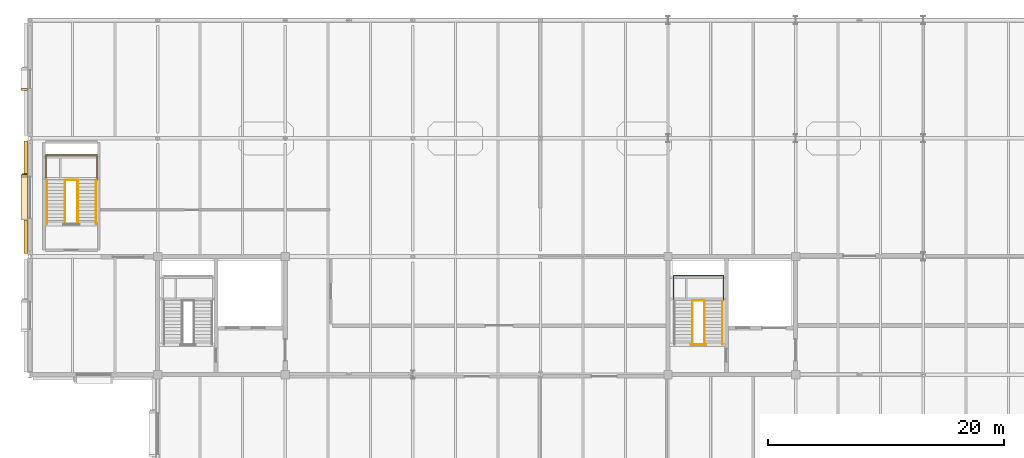
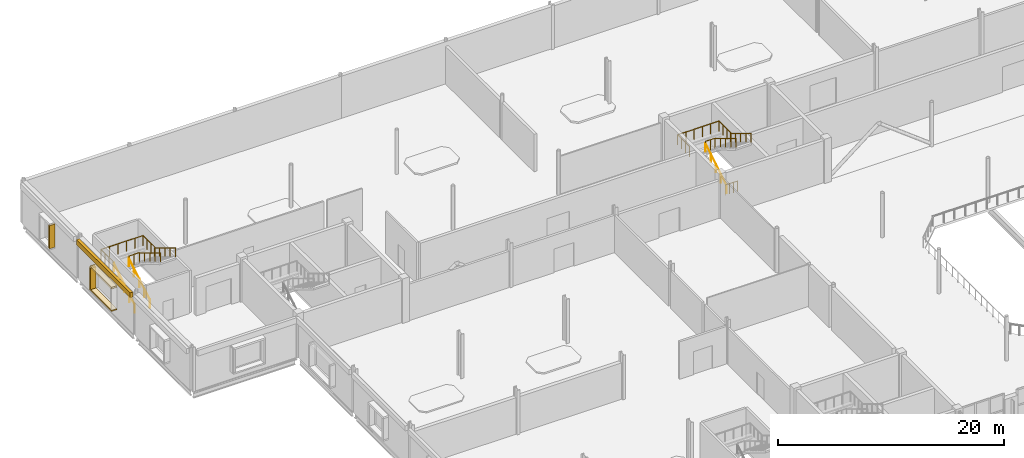
# One storey, part 89 of 92: 12 railings, 5 coverings, 1 shading device.
"""IFC4 building model written with IfcOpenShell, lengths in metres."""

from ifc_helpers import new_model, si_unit, direction, frame, origin, origin_2d, place, context, subcontext, project, spatial, rectangle, circle, extrude, material, layer, layer_set, type_object, element, save


model = new_model("IFC4")

# Units and contexts
model_context = context("Model", 3, precision=1e-05, world=origin(), true_north=direction((0.0, 1.0)))
body_context = subcontext(model_context, "Body", "Model", "MODEL_VIEW")
ifc_project = project(units=[si_unit("LENGTHUNIT", "METRE"), si_unit("AREAUNIT", "SQUARE_METRE"), si_unit("VOLUMEUNIT", "CUBIC_METRE"), si_unit("PLANEANGLEUNIT", "RADIAN"), si_unit("MASSUNIT", "GRAM", prefix="KILO")], contexts=[model_context])

# Site, building, storey
site_placement = place(None, origin())
site = spatial("IfcSite", under=ifc_project, at=site_placement, CompositionType="ELEMENT")
building_placement = place(site_placement, origin())
building = spatial("IfcBuilding", under=site, at=building_placement, Name="Tasgan Crest Museum", CompositionType="ELEMENT")
storey_placement = place(building_placement, frame((0.0, 0.0, 4.800048828125)))
storey = spatial("IfcBuildingStorey", under=building, at=storey_placement, Name="L01", CompositionType="ELEMENT", Elevation=4.800048828125)

# Coverings
ifc_material_1 = material(Name="Honed Rose-Red Mongolian Granite", Category="masonry")
ifc_layer_1 = layer(ifc_material_1, 0.0400390625, Name="COV-GRANITE-ROSE")
ifc_layer_set_1 = layer_set([ifc_layer_1], Name="Honed Rose-Red Mongolian Granite")
covering_type_1 = type_object("IfcCoveringType", Name="COV-GRANITE-ROSE", PredefinedType="CLADDING", material=ifc_layer_set_1)
covering_1_placement = place(storey_placement, frame((-0.5, 106.135009765625, 1.0), z_axis=(0.0, 0.0, 1.0), x_axis=(0.0, -1.0, 0.0)))
element("IfcCovering", 1, at=covering_1_placement, inside=storey, type_object=covering_type_1, Name="Deep window reveal jamb L01-028", PredefinedType="CLADDING", context=body_context, shape_type="SweptSolid", body=[
    extrude(rectangle(XDim=0.179931640625, YDim=0.550048828125, at=origin_2d()), origin(), (0.0, 0.0, 1.0), 2.5),
])
covering_2_placement = place(storey_placement, frame((-0.5, 98.840087890625, 1.0), z_axis=(0.0, 0.0, 1.0), x_axis=(0.0, -1.0, 0.0)))
element("IfcCovering", 2, at=covering_2_placement, inside=storey, type_object=covering_type_1, Name="Deep window reveal jamb L01-029", PredefinedType="CLADDING", context=body_context, shape_type="SweptSolid", body=[
    extrude(rectangle(XDim=0.179931640625, YDim=0.550048828125, at=origin_2d()), origin(), (0.0, 0.0, 1.0), 2.300048828125),
])
ifc_material_2 = material(Name="Honed Buff Limestone", Category="masonry")
ifc_layer_2 = layer(ifc_material_2, 0.044921875, Name="COV-LIMESTONE-BUFF")
ifc_layer_set_2 = layer_set([ifc_layer_2], Name="Honed Buff Limestone")
covering_type_2 = type_object("IfcCoveringType", Name="COV-LIMESTONE-BUFF", PredefinedType="CLADDING", material=ifc_layer_set_2)
covering_3_placement = place(storey_placement, frame((-0.364990234375, 97.0, 3.9599609375), z_axis=(0.0, 0.0, 1.0), x_axis=(0.0, -1.0, 0.0)))
element("IfcCovering", 3, at=covering_3_placement, inside=storey, type_object=covering_type_2, Name="Stone frieze cladding L01", PredefinedType="CLADDING", context=body_context, shape_type="SweptSolid", body=[
    extrude(rectangle(XDim=9.510009765625, YDim=0.280029296875, at=origin_2d()), origin(), (0.0, 0.0, 1.0), 0.550048828125),
])
covering_4_placement = place(storey_placement, frame((-0.5, 97.0, 3.2998046875), z_axis=(0.0, 0.0, 1.0), x_axis=(0.0, -1.0, 0.0)))
element("IfcCovering", 4, at=covering_4_placement, inside=storey, type_object=covering_type_2, Name="Deep window hood L01-029", PredefinedType="CLADDING", context=body_context, shape_type="SweptSolid", body=[
    extrude(rectangle(XDim=3.860107421875, YDim=0.550048828125, at=origin_2d()), origin(), (0.0, 0.0, 1.0), 0.179931640625),
])
covering_5_placement = place(storey_placement, frame((-0.5, 97.0, 0.85986328125), z_axis=(0.0, 0.0, 1.0), x_axis=(0.0, -1.0, 0.0)))
element("IfcCovering", 5, at=covering_5_placement, inside=storey, type_object=covering_type_2, Name="Deep window sill L01-029", PredefinedType="CLADDING", context=body_context, shape_type="SweptSolid", body=[
    extrude(rectangle(XDim=3.860107421875, YDim=0.550048828125, at=origin_2d()), origin(), (0.0, 0.0, 1.0), 0.139892578125),
])

# Railings
ifc_material_3 = material(Name="Brushed Bronze and Toughened Glass", Category="glass")
railing_type_1 = type_object("IfcRailingType", Name="RL-INT-GUARD-1120", PredefinedType="GUARDRAIL", material=ifc_material_3)
railing_1_placement = place(storey_placement, frame((55.93994140625, 84.52001953125, 0.0)))
element("IfcRailing", 6, at=railing_1_placement, inside=storey, type_object=railing_type_1, Name="North-Central Sawtooth Core floor slot guard L01", PredefinedType="GUARDRAIL", context=body_context, shape_type="SweptSolid", body=[
    extrude(circle(Radius=0.02392578125, at=origin_2d()), frame((0.0, 0.0, 1.09619140625), z_axis=(1.0, 0.0, 0.0), x_axis=(0.0, 1.0, 0.0)), (0.0, 0.0, 1.0), 1.27001953125),
    extrude(circle(Radius=0.02099609375, at=origin_2d()), origin(), (0.0, 0.0, 1.0), 1.072021484375),
    extrude(circle(Radius=0.02099609375, at=origin_2d()), frame((0.42333984375, 0.0, 0.0)), (0.0, 0.0, 1.0), 1.072021484375),
    extrude(circle(Radius=0.02099609375, at=origin_2d()), frame((0.8466796875, 0.0, 0.0)), (0.0, 0.0, 1.0), 1.072021484375),
    extrude(circle(Radius=0.02099609375, at=origin_2d()), frame((1.27001953125, 0.0, 0.0)), (0.0, 0.0, 1.0), 1.072021484375),
])
railing_2_placement = place(storey_placement, frame((56.080078125, 88.27490234375, 2.39990234375)))
element("IfcRailing", 7, at=railing_2_placement, inside=storey, type_object=railing_type_1, Name="Stair half-landing well guard ST-NC-L01 T1", PredefinedType="GUARDRAIL", context=body_context, shape_type="SweptSolid", body=[
    extrude(circle(Radius=0.02392578125, at=origin_2d()), frame((0.0, 0.0, 1.09619140625), z_axis=(1.0, 0.0, 0.0), x_axis=(0.0, 1.0, 0.0)), (0.0, 0.0, 1.0), 0.989990234375),
    extrude(circle(Radius=0.02099609375, at=origin_2d()), origin(), (0.0, 0.0, 1.0), 1.072021484375),
    extrude(circle(Radius=0.02099609375, at=origin_2d()), frame((0.4951171875, 0.0, 0.0)), (0.0, 0.0, 1.0), 1.072021484375),
    extrude(circle(Radius=0.02099609375, at=origin_2d()), frame((0.989990234375, 0.0, 0.0)), (0.0, 0.0, 1.0), 1.072021484375),
])
railing_3_placement = place(storey_placement, frame((54.4599609375, 88.294921875, 2.39990234375)))
element("IfcRailing", 8, at=railing_3_placement, inside=storey, type_object=railing_type_1, Name="Stair half-landing perimeter guard ST-NC-L01 T1", PredefinedType="GUARDRAIL", context=body_context, shape_type="SweptSolid", body=[
    extrude(circle(Radius=0.02392578125, at=origin_2d()), frame((0.0, 0.0, 1.09619140625), z_axis=(0.0, 1.0, 0.0), x_axis=(-1.0, 0.0, 0.0)), (0.0, 0.0, 1.0), 2.10009765625),
    extrude(circle(Radius=0.02392578125, at=origin_2d()), frame((0.0, 2.10009765625, 1.09619140625), z_axis=(1.0, 0.0, 0.0), x_axis=(0.0, 1.0, 0.0)), (0.0, 0.0, 1.0), 4.22998046875),
    extrude(circle(Radius=0.02392578125, at=origin_2d()), frame((4.22998046875, 2.10009765625, 1.09619140625), z_axis=(0.0, -1.0, 0.0), x_axis=(1.0, 0.0, 0.0)), (0.0, 0.0, 1.0), 2.10009765625),
    extrude(circle(Radius=0.02099609375, at=origin_2d()), origin(), (0.0, 0.0, 1.0), 1.072021484375),
    extrude(circle(Radius=0.02099609375, at=origin_2d()), frame((0.0, 0.699951171875, 0.0)), (0.0, 0.0, 1.0), 1.072021484375),
    extrude(circle(Radius=0.02099609375, at=origin_2d()), frame((0.0, 1.400146484375, 0.0)), (0.0, 0.0, 1.0), 1.072021484375),
    extrude(circle(Radius=0.02099609375, at=origin_2d()), frame((0.0, 2.10009765625, 0.0)), (0.0, 0.0, 1.0), 1.072021484375),
    extrude(circle(Radius=0.02099609375, at=origin_2d()), frame((0.845947265625, 2.10009765625, 0.0)), (0.0, 0.0, 1.0), 1.072021484375),
    extrude(circle(Radius=0.02099609375, at=origin_2d()), frame((1.69189453125, 2.10009765625, 0.0)), (0.0, 0.0, 1.0), 1.072021484375),
    extrude(circle(Radius=0.02099609375, at=origin_2d()), frame((2.5380859375, 2.10009765625, 0.0)), (0.0, 0.0, 1.0), 1.072021484375),
    extrude(circle(Radius=0.02099609375, at=origin_2d()), frame((3.384033203125, 2.10009765625, 0.0)), (0.0, 0.0, 1.0), 1.072021484375),
    extrude(circle(Radius=0.02099609375, at=origin_2d()), frame((4.22998046875, 2.10009765625, 0.0)), (0.0, 0.0, 1.0), 1.072021484375),
    extrude(circle(Radius=0.02099609375, at=origin_2d()), frame((4.22998046875, 1.400146484375, 0.0)), (0.0, 0.0, 1.0), 1.072021484375),
    extrude(circle(Radius=0.02099609375, at=origin_2d()), frame((4.22998046875, 0.699951171875, 0.0)), (0.0, 0.0, 1.0), 1.072021484375),
    extrude(circle(Radius=0.02099609375, at=origin_2d()), frame((4.22998046875, 0.0, 0.0)), (0.0, 0.0, 1.0), 1.072021484375),
])
railing_4_placement = place(storey_placement, frame((2.9599609375, 98.47509765625, 2.39990234375)))
element("IfcRailing", 9, at=railing_4_placement, inside=storey, type_object=railing_type_1, Name="Stair half-landing well guard ST-GW-L01 T1", PredefinedType="GUARDRAIL", context=body_context, shape_type="SweptSolid", body=[
    extrude(circle(Radius=0.02392578125, at=origin_2d()), frame((0.0, 0.0, 1.09619140625), z_axis=(1.0, 0.0, 0.0), x_axis=(0.0, 1.0, 0.0)), (0.0, 0.0, 1.0), 1.080078125),
    extrude(circle(Radius=0.02099609375, at=origin_2d()), origin(), (0.0, 0.0, 1.0), 1.072021484375),
    extrude(circle(Radius=0.02099609375, at=origin_2d()), frame((0.5400390625, 0.0, 0.0)), (0.0, 0.0, 1.0), 1.072021484375),
    extrude(circle(Radius=0.02099609375, at=origin_2d()), frame((1.080078125, 0.0, 0.0)), (0.0, 0.0, 1.0), 1.072021484375),
])
railing_5_placement = place(storey_placement, frame((1.340087890625, 98.4951171875, 2.39990234375)))
element("IfcRailing", 10, at=railing_5_placement, inside=storey, type_object=railing_type_1, Name="Stair half-landing perimeter guard ST-GW-L01 T1", PredefinedType="GUARDRAIL", context=body_context, shape_type="SweptSolid", body=[
    extrude(circle(Radius=0.02392578125, at=origin_2d()), frame((0.0, 0.0, 1.09619140625), z_axis=(0.0, 1.0, 0.0), x_axis=(-1.0, 0.0, 0.0)), (0.0, 0.0, 1.0), 2.099853515625),
    extrude(circle(Radius=0.02392578125, at=origin_2d()), frame((0.0, 2.099853515625, 1.09619140625), z_axis=(1.0, 0.0, 0.0), x_axis=(0.0, 1.0, 0.0)), (0.0, 0.0, 1.0), 4.31982421875),
    extrude(circle(Radius=0.02392578125, at=origin_2d()), frame((4.31982421875, 2.099853515625, 1.09619140625), z_axis=(0.0, -1.0, 0.0), x_axis=(1.0, 0.0, 0.0)), (0.0, 0.0, 1.0), 2.099853515625),
    extrude(circle(Radius=0.02099609375, at=origin_2d()), origin(), (0.0, 0.0, 1.0), 1.072021484375),
    extrude(circle(Radius=0.02099609375, at=origin_2d()), frame((0.0, 0.699951171875, 0.0)), (0.0, 0.0, 1.0), 1.072021484375),
    extrude(circle(Radius=0.02099609375, at=origin_2d()), frame((0.0, 1.39990234375, 0.0)), (0.0, 0.0, 1.0), 1.072021484375),
    extrude(circle(Radius=0.02099609375, at=origin_2d()), frame((0.0, 2.099853515625, 0.0)), (0.0, 0.0, 1.0), 1.072021484375),
    extrude(circle(Radius=0.02099609375, at=origin_2d()), frame((0.864013671875, 2.099853515625, 0.0)), (0.0, 0.0, 1.0), 1.072021484375),
    extrude(circle(Radius=0.02099609375, at=origin_2d()), frame((1.72802734375, 2.099853515625, 0.0)), (0.0, 0.0, 1.0), 1.072021484375),
    extrude(circle(Radius=0.02099609375, at=origin_2d()), frame((2.591796875, 2.099853515625, 0.0)), (0.0, 0.0, 1.0), 1.072021484375),
    extrude(circle(Radius=0.02099609375, at=origin_2d()), frame((3.455810546875, 2.099853515625, 0.0)), (0.0, 0.0, 1.0), 1.072021484375),
    extrude(circle(Radius=0.02099609375, at=origin_2d()), frame((4.31982421875, 2.099853515625, 0.0)), (0.0, 0.0, 1.0), 1.072021484375),
    extrude(circle(Radius=0.02099609375, at=origin_2d()), frame((4.31982421875, 1.39990234375, 0.0)), (0.0, 0.0, 1.0), 1.072021484375),
    extrude(circle(Radius=0.02099609375, at=origin_2d()), frame((4.31982421875, 0.699951171875, 0.0)), (0.0, 0.0, 1.0), 1.072021484375),
    extrude(circle(Radius=0.02099609375, at=origin_2d()), frame((4.31982421875, 0.0, 0.0)), (0.0, 0.0, 1.0), 1.072021484375),
])
ifc_material_4 = material(Name="Brushed Stainless Steel", Category="steel")
railing_type_2 = type_object("IfcRailingType", Name="RL-STAIR-HAND-920", PredefinedType="HANDRAIL", material=ifc_material_4)
railing_6_placement = place(storey_placement, frame((56.080078125, 84.550048828125, 0.17138671875)))
element("IfcRailing", 11, at=railing_6_placement, inside=storey, type_object=railing_type_2, Name="Stair handrail STAIR-CORE-NC-L01-F1 R", PredefinedType="HANDRAIL", context=body_context, shape_type="SweptSolid", body=[
    extrude(circle(Radius=0.02392578125, at=origin_2d()), frame((0.0, 0.0, 0.89599609375), z_axis=(0.0, 0.856919398105, 0.515450429384), x_axis=(-1.0, 0.0, 0.0)), (0.0, 0.0, 1.0), 4.323486328125),
    extrude(circle(Radius=0.02099609375, at=origin_2d()), origin(), (0.0, 0.0, 1.0), 0.871826171875),
    extrude(circle(Radius=0.02099609375, at=origin_2d()), frame((0.0, 0.92626953125, 0.55712890625)), (0.0, 0.0, 1.0), 0.871826171875),
    extrude(circle(Radius=0.02099609375, at=origin_2d()), frame((0.0, 1.8525390625, 1.1142578125)), (0.0, 0.0, 1.0), 0.871826171875),
    extrude(circle(Radius=0.02099609375, at=origin_2d()), frame((0.0, 2.778564453125, 1.67138671875)), (0.0, 0.0, 1.0), 0.871826171875),
    extrude(circle(Radius=0.02099609375, at=origin_2d()), frame((0.0, 3.704833984375, 2.228515625)), (0.0, 0.0, 1.0), 0.871826171875),
])
for number, where, name in (
    (12, (58.610107421875, 88.2548828125, 2.5712890625), "Stair handrail STAIR-CORE-NC-L01-F2 L"),
    (13, (57.070068359375, 88.2548828125, 2.5712890625), "Stair handrail STAIR-CORE-NC-L01-F2 R"),
):
    element("IfcRailing", number, at=place(storey_placement, frame(where)), inside=storey, type_object=railing_type_2, Name=name, PredefinedType="HANDRAIL", context=body_context, shape_type="SweptSolid", body=[
        extrude(circle(Radius=0.02392578125, at=origin_2d()), frame((0.0, 0.0, 0.89599609375), z_axis=(0.0, -0.856894455432, 0.515491893485), x_axis=(1.0, 0.0, 0.0)), (0.0, 0.0, 1.0), 4.323486328125),
        extrude(circle(Radius=0.02099609375, at=origin_2d()), origin(), (0.0, 0.0, 1.0), 0.871826171875),
        extrude(circle(Radius=0.02099609375, at=origin_2d()), frame((0.0, -0.92626953125, 0.55712890625)), (0.0, 0.0, 1.0), 0.871826171875),
        extrude(circle(Radius=0.02099609375, at=origin_2d()), frame((0.0, -1.8525390625, 1.1142578125)), (0.0, 0.0, 1.0), 0.871826171875),
        extrude(circle(Radius=0.02099609375, at=origin_2d()), frame((0.0, -2.778564453125, 1.671630859375)), (0.0, 0.0, 1.0), 0.871826171875),
        extrude(circle(Radius=0.02099609375, at=origin_2d()), frame((0.0, -3.704833984375, 2.228759765625)), (0.0, 0.0, 1.0), 0.871826171875),
    ])
for number, where, name in (
    (14, (1.419921875, 94.75, 0.17138671875), "Stair handrail STAIR-GALW-L01-F1 L"),
    (15, (2.9599609375, 94.75, 0.17138671875), "Stair handrail STAIR-GALW-L01-F1 R"),
):
    element("IfcRailing", number, at=place(storey_placement, frame(where)), inside=storey, type_object=railing_type_2, Name=name, PredefinedType="HANDRAIL", context=body_context, shape_type="SweptSolid", body=[
        extrude(circle(Radius=0.02392578125, at=origin_2d()), frame((0.0, 0.0, 0.89599609375), z_axis=(0.0, 0.856934400257, 0.515425487977), x_axis=(-1.0, 0.0, 0.0)), (0.0, 0.0, 1.0), 4.32373046875),
        extrude(circle(Radius=0.02099609375, at=origin_2d()), origin(), (0.0, 0.0, 1.0), 0.871826171875),
        extrude(circle(Radius=0.02099609375, at=origin_2d()), frame((0.0, 0.92626953125, 0.55712890625)), (0.0, 0.0, 1.0), 0.871826171875),
        extrude(circle(Radius=0.02099609375, at=origin_2d()), frame((0.0, 1.8525390625, 1.1142578125)), (0.0, 0.0, 1.0), 0.871826171875),
        extrude(circle(Radius=0.02099609375, at=origin_2d()), frame((0.0, 2.77880859375, 1.67138671875)), (0.0, 0.0, 1.0), 0.871826171875),
        extrude(circle(Radius=0.02099609375, at=origin_2d()), frame((0.0, 3.705078125, 2.228515625)), (0.0, 0.0, 1.0), 0.871826171875),
    ])
for number, where, name in (
    (16, (5.580078125, 98.455078125, 2.5712890625), "Stair handrail STAIR-GALW-L01-F2 L"),
    (17, (4.0400390625, 98.455078125, 2.5712890625), "Stair handrail STAIR-GALW-L01-F2 R"),
):
    element("IfcRailing", number, at=place(storey_placement, frame(where)), inside=storey, type_object=railing_type_2, Name=name, PredefinedType="HANDRAIL", context=body_context, shape_type="SweptSolid", body=[
        extrude(circle(Radius=0.02392578125, at=origin_2d()), frame((0.0, 0.0, 0.89599609375), z_axis=(0.0, -0.856909459561, 0.515466951525), x_axis=(1.0, 0.0, 0.0)), (0.0, 0.0, 1.0), 4.32373046875),
        extrude(circle(Radius=0.02099609375, at=origin_2d()), origin(), (0.0, 0.0, 1.0), 0.871826171875),
        extrude(circle(Radius=0.02099609375, at=origin_2d()), frame((0.0, -0.92626953125, 0.55712890625)), (0.0, 0.0, 1.0), 0.871826171875),
        extrude(circle(Radius=0.02099609375, at=origin_2d()), frame((0.0, -1.8525390625, 1.1142578125)), (0.0, 0.0, 1.0), 0.871826171875),
        extrude(circle(Radius=0.02099609375, at=origin_2d()), frame((0.0, -2.77880859375, 1.671630859375)), (0.0, 0.0, 1.0), 0.871826171875),
        extrude(circle(Radius=0.02099609375, at=origin_2d()), frame((0.0, -3.705078125, 2.228759765625)), (0.0, 0.0, 1.0), 0.871826171875),
    ])

# Shading device
ifc_material_5 = material(Name="Anodised Bronze Aluminium", Category="aluminium")
shading_device_type = type_object("IfcShadingDeviceType", Name="SH-FIN-V400", PredefinedType="JALOUSIE", material=ifc_material_5)
shading_device_placement = place(storey_placement, frame((-0.43505859375, 98.969970703125, 0.89990234375), z_axis=(0.0, 0.0, 1.0), x_axis=(0.0, -1.0, 0.0)))
element("IfcShadingDevice", 18, at=shading_device_placement, inside=storey, type_object=shading_device_type, Name="Solar shading fin L01-029", PredefinedType="JALOUSIE", context=body_context, shape_type="SweptSolid", body=[
    extrude(rectangle(XDim=0.080078125, YDim=0.419921875, at=origin_2d()), origin(), (0.0, 0.0, 1.0), 2.5),
])

save(model, "model.ifc")
